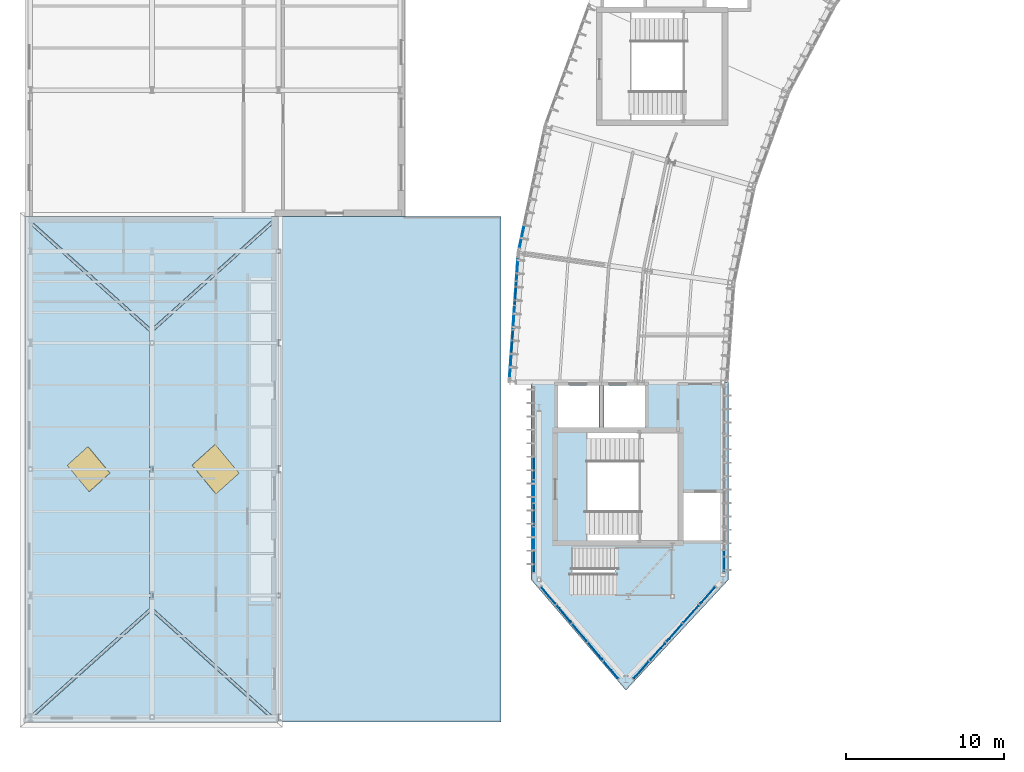
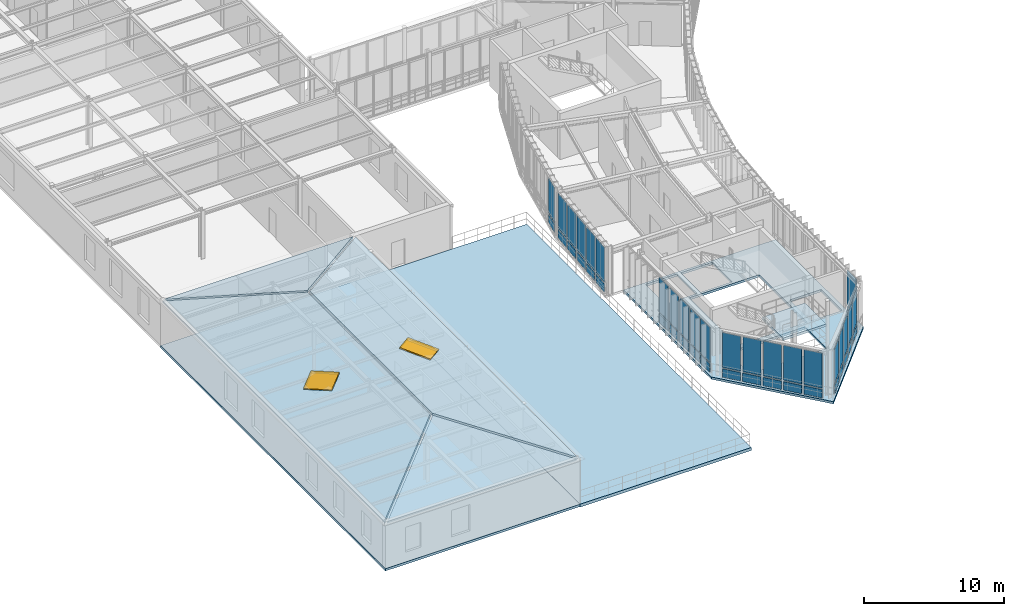
# One storey, part 23 of 52: 44 plates, 8 slabs, 2 windows, 2 openings, 7 elements without a shape of their own.
"""IFC4 building model written with IfcOpenShell, lengths in metres."""

from ifc_helpers import new_model, si_unit, direction, frame, origin, origin_2d, place, context, subcontext, project, spatial, polyline, rectangle, outline, extrude, material, layer, layer_set, type_object, element, fill, aggregate, save


model = new_model("IFC4")

# Units and contexts
model_context = context("Model", 3, precision=1e-05, world=origin(), true_north=direction((0.0, 1.0)))
body_context = subcontext(model_context, "Body", "Model", "MODEL_VIEW")
ifc_project = project(units=[si_unit("LENGTHUNIT", "METRE"), si_unit("AREAUNIT", "SQUARE_METRE"), si_unit("VOLUMEUNIT", "CUBIC_METRE"), si_unit("PLANEANGLEUNIT", "RADIAN"), si_unit("MASSUNIT", "GRAM", prefix="KILO"), si_unit("THERMODYNAMICTEMPERATUREUNIT", "KELVIN"), si_unit("POWERUNIT", "WATT")], contexts=[model_context])

# Site, building, storey
site_placement = place(None, origin())
site = spatial("IfcSite", under=ifc_project, at=site_placement, CompositionType="ELEMENT")
building_placement = place(site_placement, origin())
building = spatial("IfcBuilding", under=site, at=building_placement, Name="Solvatero Civic Police Headquarters", CompositionType="ELEMENT")
storey_placement = place(building_placement, frame((0.0, 0.0, 13.5)))
storey = spatial("IfcBuildingStorey", under=building, at=storey_placement, Name="L03", CompositionType="ELEMENT", Elevation=13.5)

# Curtain wall, plate
ifc_material_1 = material(Name="Anodized Bronze Aluminium", Category="aluminium")
ifc_layer_1 = layer(ifc_material_1, 0.179931640625)
ifc_layer_set_1 = layer_set([ifc_layer_1], Name="Anodized Bronze Aluminium")
curtain_wall_type_1 = type_object("IfcCurtainWallType", Name="CW-ARC-OUT", PredefinedType="USERDEFINED", material=ifc_layer_set_1)
curtain_wall_1_placement = place(storey_placement, origin())
curtain_wall_1 = element("IfcCurtainWall", 1, at=curtain_wall_1_placement, inside=storey, type_object=curtain_wall_type_1, Name="Curtain Wall CW-R2-L03-ARC-OUT-B11", ObjectType="UNITISED", PredefinedType="USERDEFINED")
ifc_material_2 = material(Name="Triple Low-E Laminated Glass", Category="glass")
ifc_layer_2 = layer(ifc_material_2, 0.0380859375)
ifc_layer_set_2 = layer_set([ifc_layer_2], Name="Triple Low-E Laminated Glass")
plate_type_1 = type_object("IfcPlateType", Name="CWP-GLZ-38", PredefinedType="CURTAIN_PANEL", material=ifc_layer_set_2)
plate_1_placement = place(storey_placement, frame((35.906494140625, 35.198486328125, 0.91015625), z_axis=(0.0, 0.0, 1.0), x_axis=(-0.207928762682, -0.978143971841, 0.0)))
plate_1 = element("IfcPlate", 2, at=plate_1_placement, type_object=plate_type_1, Name="CW-R2-L03-ARC-OUT-B11 Vision Glazing 5", PredefinedType="CURTAIN_PANEL", context=body_context, shape_type="SweptSolid", body=[
    extrude(rectangle(XDim=1.360595703125, YDim=0.0380859375, at=origin_2d()), origin(), (0.0, 0.0, 1.0), 3.030029296875),
])

# Curtain wall, plates
curtain_wall_2_placement = place(storey_placement, origin())
curtain_wall_2 = element("IfcCurtainWall", 3, at=curtain_wall_2_placement, inside=storey, type_object=curtain_wall_type_1, Name="Curtain Wall CW-R2-L03-ARC-OUT-B12", ObjectType="UNITISED", PredefinedType="USERDEFINED")
plate_2_placement = place(storey_placement, frame((35.621337890625, 33.170654296875, 0.91015625), z_axis=(0.0, 0.0, 1.0), x_axis=(-0.069739062956, -0.997565267588, 0.0)))
plate_2 = element("IfcPlate", 4, at=plate_2_placement, type_object=plate_type_1, Name="CW-R2-L03-ARC-OUT-B12 Vision Glazing 1", PredefinedType="CURTAIN_PANEL", context=body_context, shape_type="SweptSolid", body=[
    extrude(rectangle(XDim=1.360595703125, YDim=0.0380859375, at=origin_2d()), origin(), (0.0, 0.0, 1.0), 3.030029296875),
])
plate_3_placement = place(storey_placement, frame((35.406494140625, 30.097412109375, 0.91015625), z_axis=(0.0, 0.0, 1.0), x_axis=(-0.069739062956, -0.997565267588, 0.0)))
plate_3 = element("IfcPlate", 5, at=plate_3_placement, type_object=plate_type_1, Name="CW-R2-L03-ARC-OUT-B12 Vision Glazing 3", PredefinedType="CURTAIN_PANEL", context=body_context, shape_type="SweptSolid", body=[
    extrude(rectangle(XDim=1.360595703125, YDim=0.0380859375, at=origin_2d()), origin(), (0.0, 0.0, 1.0), 3.030029296875),
])
plate_4_placement = place(storey_placement, frame((35.19140625, 27.023681640625, 0.91015625), z_axis=(0.0, 0.0, 1.0), x_axis=(-0.069739062956, -0.997565267588, 0.0)))
plate_4 = element("IfcPlate", 6, at=plate_4_placement, type_object=plate_type_1, Name="CW-R2-L03-ARC-OUT-B12 Vision Glazing 5", PredefinedType="CURTAIN_PANEL", context=body_context, shape_type="SweptSolid", body=[
    extrude(rectangle(XDim=1.360595703125, YDim=0.0380859375, at=origin_2d()), origin(), (0.0, 0.0, 1.0), 3.030029296875),
])

ifc_layer_3 = layer(ifc_material_1, 0.179931640625)
ifc_layer_set_3 = layer_set([ifc_layer_3], Name="Anodized Bronze Aluminium")
curtain_wall_type_2 = type_object("IfcCurtainWallType", Name="CW-PROW-GLZ", PredefinedType="USERDEFINED", material=ifc_layer_set_3)
curtain_wall_3_placement = place(storey_placement, origin())
curtain_wall_3 = element("IfcCurtainWall", 7, at=curtain_wall_3_placement, inside=storey, type_object=curtain_wall_type_2, Name="Curtain Wall CW-R2-L03-PROW-W", ObjectType="UNITISED", PredefinedType="USERDEFINED")
plate_5_placement = place(storey_placement, frame((36.679931640625, 19.085693359375, 0.91015625), z_axis=(0.0, 0.0, 1.0), x_axis=(0.0, -1.0, 0.0)))
plate_5 = element("IfcPlate", 8, at=plate_5_placement, type_object=plate_type_1, Name="CW-R2-L03-PROW-W Vision Glazing 5", PredefinedType="CURTAIN_PANEL", context=body_context, shape_type="SweptSolid", body=[
    extrude(rectangle(XDim=1.298828125, YDim=0.0380859375, at=origin_2d()), origin(), (0.0, 0.0, 1.0), 3.030029296875),
])
plate_6_placement = place(storey_placement, frame((36.679931640625, 16.128173828125, 0.91015625), z_axis=(0.0, 0.0, 1.0), x_axis=(0.0, -1.0, 0.0)))
plate_6 = element("IfcPlate", 9, at=plate_6_placement, type_object=plate_type_1, Name="CW-R2-L03-PROW-W Vision Glazing 7", PredefinedType="CURTAIN_PANEL", context=body_context, shape_type="SweptSolid", body=[
    extrude(rectangle(XDim=1.298828125, YDim=0.0380859375, at=origin_2d()), origin(), (0.0, 0.0, 1.0), 3.030029296875),
])

curtain_wall_4_placement = place(storey_placement, origin())
curtain_wall_4 = element("IfcCurtainWall", 10, at=curtain_wall_4_placement, inside=storey, type_object=curtain_wall_type_2, Name="Curtain Wall CW-R2-L03-PROW-SW", ObjectType="UNITISED", PredefinedType="USERDEFINED")
plate_7_placement = place(storey_placement, frame((37.586181640625, 12.51171875, 0.91015625), z_axis=(0.0, 0.0, 1.0), x_axis=(0.643282165541, -0.765629189293, 0.0)))
plate_7 = element("IfcPlate", 11, at=plate_7_placement, type_object=plate_type_1, Name="CW-R2-L03-PROW-SW Vision Glazing 1", PredefinedType="CURTAIN_PANEL", context=body_context, shape_type="SweptSolid", body=[
    extrude(rectangle(XDim=1.3671875, YDim=0.0380859375, at=origin_2d()), origin(), (0.0, 0.0, 1.0), 3.030029296875),
])
plate_8_placement = place(storey_placement, frame((39.576904296875, 10.142578125, 0.91015625), z_axis=(0.0, 0.0, 1.0), x_axis=(0.643282165541, -0.765629189293, 0.0)))
plate_8 = element("IfcPlate", 12, at=plate_8_placement, type_object=plate_type_1, Name="CW-R2-L03-PROW-SW Vision Glazing 3", PredefinedType="CURTAIN_PANEL", context=body_context, shape_type="SweptSolid", body=[
    extrude(rectangle(XDim=1.3671875, YDim=0.0380859375, at=origin_2d()), origin(), (0.0, 0.0, 1.0), 3.030029296875),
])
plate_9_placement = place(storey_placement, frame((41.567626953125, 7.773193359375, 0.91015625), z_axis=(0.0, 0.0, 1.0), x_axis=(0.643282165541, -0.765629189293, 0.0)))
plate_9 = element("IfcPlate", 13, at=plate_9_placement, type_object=plate_type_1, Name="CW-R2-L03-PROW-SW Vision Glazing 5", PredefinedType="CURTAIN_PANEL", context=body_context, shape_type="SweptSolid", body=[
    extrude(rectangle(XDim=1.3671875, YDim=0.0380859375, at=origin_2d()), origin(), (0.0, 0.0, 1.0), 3.030029296875),
])

curtain_wall_5_placement = place(storey_placement, origin())
curtain_wall_5 = element("IfcCurtainWall", 14, at=curtain_wall_5_placement, inside=storey, type_object=curtain_wall_type_2, Name="Curtain Wall CW-R2-L03-PROW-SE", ObjectType="UNITISED", PredefinedType="USERDEFINED")
plate_10_placement = place(storey_placement, frame((44.514892578125, 8.951416015625, 0.91015625), z_axis=(0.0, 0.0, 1.0), x_axis=(0.664669821698, 0.74713722175, 0.0)))
plate_10 = element("IfcPlate", 15, at=plate_10_placement, type_object=plate_type_1, Name="CW-R2-L03-PROW-SE Vision Glazing 2", PredefinedType="CURTAIN_PANEL", context=body_context, shape_type="SweptSolid", body=[
    extrude(rectangle(XDim=1.408447265625, YDim=0.0380859375, at=origin_2d()), origin(), (0.0, 0.0, 1.0), 3.030029296875),
])
plate_11_placement = place(storey_placement, frame((46.62646484375, 11.324951171875, 0.91015625), z_axis=(0.0, 0.0, 1.0), x_axis=(0.664669821698, 0.74713722175, 0.0)))
plate_11 = element("IfcPlate", 16, at=plate_11_placement, type_object=plate_type_1, Name="CW-R2-L03-PROW-SE Vision Glazing 4", PredefinedType="CURTAIN_PANEL", context=body_context, shape_type="SweptSolid", body=[
    extrude(rectangle(XDim=1.408447265625, YDim=0.0380859375, at=origin_2d()), origin(), (0.0, 0.0, 1.0), 3.030029296875),
])

# Plate
ifc_material_3 = material(Name="Acoustic Ballistic Laminated Glass", Category="glass")
ifc_layer_4 = layer(ifc_material_3, 0.0439453125)
ifc_layer_set_4 = layer_set([ifc_layer_4], Name="Acoustic Ballistic Laminated Glass")
plate_type_2 = type_object("IfcPlateType", Name="CWP-GLZ-44", PredefinedType="CURTAIN_PANEL", material=ifc_layer_set_4)
plate_12_placement = place(storey_placement, frame((35.513916015625, 31.634033203125, 0.91015625), z_axis=(0.0, 0.0, 1.0), x_axis=(-0.069739062956, -0.997565267588, 0.0)))
plate_12 = element("IfcPlate", 17, at=plate_12_placement, type_object=plate_type_2, Name="CW-R2-L03-ARC-OUT-B12 Vision Glazing 2", PredefinedType="CURTAIN_PANEL", context=body_context, shape_type="SweptSolid", body=[
    extrude(rectangle(XDim=1.360595703125, YDim=0.0439453125, at=origin_2d()), origin(), (0.0, 0.0, 1.0), 3.030029296875),
])

plate_13_placement = place(storey_placement, frame((35.299072265625, 28.560546875, 0.91015625), z_axis=(0.0, 0.0, 1.0), x_axis=(-0.069739062956, -0.997565267588, 0.0)))
plate_13 = element("IfcPlate", 18, at=plate_13_placement, type_object=plate_type_2, Name="CW-R2-L03-ARC-OUT-B12 Vision Glazing 4", PredefinedType="CURTAIN_PANEL", context=body_context, shape_type="SweptSolid", body=[
    extrude(rectangle(XDim=1.360595703125, YDim=0.0439453125, at=origin_2d()), origin(), (0.0, 0.0, 1.0), 3.030029296875),
])

plate_14_placement = place(storey_placement, frame((36.679931640625, 20.564453125, 0.91015625), z_axis=(0.0, 0.0, 1.0), x_axis=(0.0, -1.0, 0.0)))
plate_14 = element("IfcPlate", 19, at=plate_14_placement, type_object=plate_type_2, Name="CW-R2-L03-PROW-W Vision Glazing 4", PredefinedType="CURTAIN_PANEL", context=body_context, shape_type="SweptSolid", body=[
    extrude(rectangle(XDim=1.298828125, YDim=0.0439453125, at=origin_2d()), origin(), (0.0, 0.0, 1.0), 3.030029296875),
])

plate_15_placement = place(storey_placement, frame((36.679931640625, 17.60693359375, 0.91015625), z_axis=(0.0, 0.0, 1.0), x_axis=(0.0, -1.0, 0.0)))
plate_15 = element("IfcPlate", 20, at=plate_15_placement, type_object=plate_type_2, Name="CW-R2-L03-PROW-W Vision Glazing 6", PredefinedType="CURTAIN_PANEL", context=body_context, shape_type="SweptSolid", body=[
    extrude(rectangle(XDim=1.298828125, YDim=0.0439453125, at=origin_2d()), origin(), (0.0, 0.0, 1.0), 3.030029296875),
])

plate_16_placement = place(storey_placement, frame((36.679931640625, 14.6494140625, 0.91015625), z_axis=(0.0, 0.0, 1.0), x_axis=(0.0, -1.0, 0.0)))
plate_16 = element("IfcPlate", 21, at=plate_16_placement, type_object=plate_type_2, Name="CW-R2-L03-PROW-W Vision Glazing 8", PredefinedType="CURTAIN_PANEL", context=body_context, shape_type="SweptSolid", body=[
    extrude(rectangle(XDim=1.298828125, YDim=0.0439453125, at=origin_2d()), origin(), (0.0, 0.0, 1.0), 3.030029296875),
])

# Curtain wall, plate
curtain_wall_6_placement = place(storey_placement, origin())
curtain_wall_6 = element("IfcCurtainWall", 22, at=curtain_wall_6_placement, inside=storey, type_object=curtain_wall_type_2, Name="Curtain Wall CW-R2-L03-PROW-E", ObjectType="UNITISED", PredefinedType="USERDEFINED")
plate_17_placement = place(storey_placement, frame((48.719970703125, 14.6494140625, 0.91015625), z_axis=(0.0, 0.0, 1.0), x_axis=(0.0, 1.0, 0.0)))
plate_17 = element("IfcPlate", 23, at=plate_17_placement, type_object=plate_type_2, Name="CW-R2-L03-PROW-E Vision Glazing 1", PredefinedType="CURTAIN_PANEL", context=body_context, shape_type="SweptSolid", body=[
    extrude(rectangle(XDim=1.298583984375, YDim=0.0439453125, at=origin_2d()), origin(), (0.0, 0.0, 1.0), 3.030029296875),
])

# Plate
plate_18_placement = place(storey_placement, frame((38.58154296875, 11.3271484375, 0.91015625), z_axis=(0.0, 0.0, 1.0), x_axis=(0.643282165541, -0.765629189293, 0.0)))
plate_18 = element("IfcPlate", 24, at=plate_18_placement, type_object=plate_type_2, Name="CW-R2-L03-PROW-SW Vision Glazing 2", PredefinedType="CURTAIN_PANEL", context=body_context, shape_type="SweptSolid", body=[
    extrude(rectangle(XDim=1.3671875, YDim=0.0439453125, at=origin_2d()), origin(), (0.0, 0.0, 1.0), 3.030029296875),
])

plate_19_placement = place(storey_placement, frame((40.572265625, 8.957763671875, 0.91015625), z_axis=(0.0, 0.0, 1.0), x_axis=(0.643282165541, -0.765629189293, 0.0)))
plate_19 = element("IfcPlate", 25, at=plate_19_placement, type_object=plate_type_2, Name="CW-R2-L03-PROW-SW Vision Glazing 4", PredefinedType="CURTAIN_PANEL", context=body_context, shape_type="SweptSolid", body=[
    extrude(rectangle(XDim=1.3671875, YDim=0.0439453125, at=origin_2d()), origin(), (0.0, 0.0, 1.0), 3.030029296875),
])

plate_20_placement = place(storey_placement, frame((43.458984375, 7.7646484375, 0.91015625), z_axis=(0.0, 0.0, 1.0), x_axis=(0.664669821698, 0.74713722175, 0.0)))
plate_20 = element("IfcPlate", 26, at=plate_20_placement, type_object=plate_type_2, Name="CW-R2-L03-PROW-SE Vision Glazing 1", PredefinedType="CURTAIN_PANEL", context=body_context, shape_type="SweptSolid", body=[
    extrude(rectangle(XDim=1.408447265625, YDim=0.0439453125, at=origin_2d()), origin(), (0.0, 0.0, 1.0), 3.030029296875),
])

plate_21_placement = place(storey_placement, frame((45.570556640625, 10.13818359375, 0.91015625), z_axis=(0.0, 0.0, 1.0), x_axis=(0.664669821698, 0.74713722175, 0.0)))
plate_21 = element("IfcPlate", 27, at=plate_21_placement, type_object=plate_type_2, Name="CW-R2-L03-PROW-SE Vision Glazing 3", PredefinedType="CURTAIN_PANEL", context=body_context, shape_type="SweptSolid", body=[
    extrude(rectangle(XDim=1.408447265625, YDim=0.0439453125, at=origin_2d()), origin(), (0.0, 0.0, 1.0), 3.030029296875),
])

plate_22_placement = place(storey_placement, frame((47.68212890625, 12.51171875, 0.91015625), z_axis=(0.0, 0.0, 1.0), x_axis=(0.664669821698, 0.74713722175, 0.0)))
plate_22 = element("IfcPlate", 28, at=plate_22_placement, type_object=plate_type_2, Name="CW-R2-L03-PROW-SE Vision Glazing 5", PredefinedType="CURTAIN_PANEL", context=body_context, shape_type="SweptSolid", body=[
    extrude(rectangle(XDim=1.408447265625, YDim=0.0439453125, at=origin_2d()), origin(), (0.0, 0.0, 1.0), 3.030029296875),
])

ifc_material_4 = material(Name="Insulated Bronze Aluminium Spandrel", Category="aluminium")
ifc_layer_5 = layer(ifc_material_4, 0.06005859375)
ifc_layer_set_5 = layer_set([ifc_layer_5], Name="Insulated Bronze Aluminium Spandrel")
plate_type_3 = type_object("IfcPlateType", Name="CWP-SPN-60", PredefinedType="CURTAIN_PANEL", material=ifc_layer_set_5)
plate_23_placement = place(storey_placement, frame((35.906494140625, 35.198486328125, 0.06005859375), z_axis=(0.0, 0.0, 1.0), x_axis=(-0.207928762682, -0.978143971841, 0.0)))
plate_23 = element("IfcPlate", 29, at=plate_23_placement, type_object=plate_type_3, Name="CW-R2-L03-ARC-OUT-B11 Spandrel Panel 5", PredefinedType="CURTAIN_PANEL", context=body_context, shape_type="SweptSolid", body=[
    extrude(rectangle(XDim=1.360595703125, YDim=0.06005859375, at=origin_2d()), origin(), (0.0, 0.0, 1.0), 0.72998046875),
])

aggregate(curtain_wall_1, [plate_23, plate_1])

plate_24_placement = place(storey_placement, frame((35.621337890625, 33.170654296875, 0.06005859375), z_axis=(0.0, 0.0, 1.0), x_axis=(-0.069739062956, -0.997565267588, 0.0)))
plate_24 = element("IfcPlate", 30, at=plate_24_placement, type_object=plate_type_3, Name="CW-R2-L03-ARC-OUT-B12 Spandrel Panel 1", PredefinedType="CURTAIN_PANEL", context=body_context, shape_type="SweptSolid", body=[
    extrude(rectangle(XDim=1.360595703125, YDim=0.06005859375, at=origin_2d()), origin(), (0.0, 0.0, 1.0), 0.72998046875),
])

plate_25_placement = place(storey_placement, frame((35.406494140625, 30.097412109375, 0.06005859375), z_axis=(0.0, 0.0, 1.0), x_axis=(-0.069739062956, -0.997565267588, 0.0)))
plate_25 = element("IfcPlate", 31, at=plate_25_placement, type_object=plate_type_3, Name="CW-R2-L03-ARC-OUT-B12 Spandrel Panel 3", PredefinedType="CURTAIN_PANEL", context=body_context, shape_type="SweptSolid", body=[
    extrude(rectangle(XDim=1.360595703125, YDim=0.06005859375, at=origin_2d()), origin(), (0.0, 0.0, 1.0), 0.72998046875),
])

plate_26_placement = place(storey_placement, frame((35.19140625, 27.023681640625, 0.06005859375), z_axis=(0.0, 0.0, 1.0), x_axis=(-0.069739062956, -0.997565267588, 0.0)))
plate_26 = element("IfcPlate", 32, at=plate_26_placement, type_object=plate_type_3, Name="CW-R2-L03-ARC-OUT-B12 Spandrel Panel 5", PredefinedType="CURTAIN_PANEL", context=body_context, shape_type="SweptSolid", body=[
    extrude(rectangle(XDim=1.360595703125, YDim=0.06005859375, at=origin_2d()), origin(), (0.0, 0.0, 1.0), 0.72998046875),
])

plate_27_placement = place(storey_placement, frame((36.679931640625, 19.085693359375, 0.06005859375), z_axis=(0.0, 0.0, 1.0), x_axis=(0.0, -1.0, 0.0)))
plate_27 = element("IfcPlate", 33, at=plate_27_placement, type_object=plate_type_3, Name="CW-R2-L03-PROW-W Spandrel Panel 5", PredefinedType="CURTAIN_PANEL", context=body_context, shape_type="SweptSolid", body=[
    extrude(rectangle(XDim=1.298828125, YDim=0.06005859375, at=origin_2d()), origin(), (0.0, 0.0, 1.0), 0.72998046875),
])

plate_28_placement = place(storey_placement, frame((36.679931640625, 16.128173828125, 0.06005859375), z_axis=(0.0, 0.0, 1.0), x_axis=(0.0, -1.0, 0.0)))
plate_28 = element("IfcPlate", 34, at=plate_28_placement, type_object=plate_type_3, Name="CW-R2-L03-PROW-W Spandrel Panel 7", PredefinedType="CURTAIN_PANEL", context=body_context, shape_type="SweptSolid", body=[
    extrude(rectangle(XDim=1.298828125, YDim=0.06005859375, at=origin_2d()), origin(), (0.0, 0.0, 1.0), 0.72998046875),
])

plate_29_placement = place(storey_placement, frame((37.586181640625, 12.51171875, 0.06005859375), z_axis=(0.0, 0.0, 1.0), x_axis=(0.643282165541, -0.765629189293, 0.0)))
plate_29 = element("IfcPlate", 35, at=plate_29_placement, type_object=plate_type_3, Name="CW-R2-L03-PROW-SW Spandrel Panel 1", PredefinedType="CURTAIN_PANEL", context=body_context, shape_type="SweptSolid", body=[
    extrude(rectangle(XDim=1.3671875, YDim=0.06005859375, at=origin_2d()), origin(), (0.0, 0.0, 1.0), 0.72998046875),
])

plate_30_placement = place(storey_placement, frame((39.576904296875, 10.142578125, 0.06005859375), z_axis=(0.0, 0.0, 1.0), x_axis=(0.643282165541, -0.765629189293, 0.0)))
plate_30 = element("IfcPlate", 36, at=plate_30_placement, type_object=plate_type_3, Name="CW-R2-L03-PROW-SW Spandrel Panel 3", PredefinedType="CURTAIN_PANEL", context=body_context, shape_type="SweptSolid", body=[
    extrude(rectangle(XDim=1.3671875, YDim=0.06005859375, at=origin_2d()), origin(), (0.0, 0.0, 1.0), 0.72998046875),
])

plate_31_placement = place(storey_placement, frame((41.567626953125, 7.773193359375, 0.06005859375), z_axis=(0.0, 0.0, 1.0), x_axis=(0.643282165541, -0.765629189293, 0.0)))
plate_31 = element("IfcPlate", 37, at=plate_31_placement, type_object=plate_type_3, Name="CW-R2-L03-PROW-SW Spandrel Panel 5", PredefinedType="CURTAIN_PANEL", context=body_context, shape_type="SweptSolid", body=[
    extrude(rectangle(XDim=1.3671875, YDim=0.06005859375, at=origin_2d()), origin(), (0.0, 0.0, 1.0), 0.72998046875),
])

plate_32_placement = place(storey_placement, frame((44.514892578125, 8.951416015625, 0.06005859375), z_axis=(0.0, 0.0, 1.0), x_axis=(0.664669821698, 0.74713722175, 0.0)))
plate_32 = element("IfcPlate", 38, at=plate_32_placement, type_object=plate_type_3, Name="CW-R2-L03-PROW-SE Spandrel Panel 2", PredefinedType="CURTAIN_PANEL", context=body_context, shape_type="SweptSolid", body=[
    extrude(rectangle(XDim=1.408447265625, YDim=0.06005859375, at=origin_2d()), origin(), (0.0, 0.0, 1.0), 0.72998046875),
])

plate_33_placement = place(storey_placement, frame((46.62646484375, 11.324951171875, 0.06005859375), z_axis=(0.0, 0.0, 1.0), x_axis=(0.664669821698, 0.74713722175, 0.0)))
plate_33 = element("IfcPlate", 39, at=plate_33_placement, type_object=plate_type_3, Name="CW-R2-L03-PROW-SE Spandrel Panel 4", PredefinedType="CURTAIN_PANEL", context=body_context, shape_type="SweptSolid", body=[
    extrude(rectangle(XDim=1.408447265625, YDim=0.06005859375, at=origin_2d()), origin(), (0.0, 0.0, 1.0), 0.72998046875),
])

ifc_material_5 = material(Name="Limestone Veneer Spandrel Panel", Category="masonry")
ifc_layer_6 = layer(ifc_material_5, 0.074951171875)
ifc_layer_set_6 = layer_set([ifc_layer_6], Name="Limestone Veneer Spandrel Panel")
plate_type_4 = type_object("IfcPlateType", Name="CWP-SPN-75", PredefinedType="CURTAIN_PANEL", material=ifc_layer_set_6)
plate_34_placement = place(storey_placement, frame((35.513916015625, 31.634033203125, 0.06005859375), z_axis=(0.0, 0.0, 1.0), x_axis=(-0.069739062956, -0.997565267588, 0.0)))
plate_34 = element("IfcPlate", 40, at=plate_34_placement, type_object=plate_type_4, Name="CW-R2-L03-ARC-OUT-B12 Spandrel Panel 2", PredefinedType="CURTAIN_PANEL", context=body_context, shape_type="SweptSolid", body=[
    extrude(rectangle(XDim=1.360595703125, YDim=0.074951171875, at=origin_2d()), origin(), (0.0, 0.0, 1.0), 0.72998046875),
])

plate_35_placement = place(storey_placement, frame((35.299072265625, 28.560546875, 0.06005859375), z_axis=(0.0, 0.0, 1.0), x_axis=(-0.069739062956, -0.997565267588, 0.0)))
plate_35 = element("IfcPlate", 41, at=plate_35_placement, type_object=plate_type_4, Name="CW-R2-L03-ARC-OUT-B12 Spandrel Panel 4", PredefinedType="CURTAIN_PANEL", context=body_context, shape_type="SweptSolid", body=[
    extrude(rectangle(XDim=1.360595703125, YDim=0.074951171875, at=origin_2d()), origin(), (0.0, 0.0, 1.0), 0.72998046875),
])

aggregate(curtain_wall_2, [plate_24, plate_2, plate_34, plate_12, plate_25, plate_3, plate_35, plate_13, plate_26, plate_4])

plate_36_placement = place(storey_placement, frame((36.679931640625, 20.564453125, 0.06005859375), z_axis=(0.0, 0.0, 1.0), x_axis=(0.0, -1.0, 0.0)))
plate_36 = element("IfcPlate", 42, at=plate_36_placement, type_object=plate_type_4, Name="CW-R2-L03-PROW-W Spandrel Panel 4", PredefinedType="CURTAIN_PANEL", context=body_context, shape_type="SweptSolid", body=[
    extrude(rectangle(XDim=1.298828125, YDim=0.074951171875, at=origin_2d()), origin(), (0.0, 0.0, 1.0), 0.72998046875),
])

plate_37_placement = place(storey_placement, frame((36.679931640625, 17.60693359375, 0.06005859375), z_axis=(0.0, 0.0, 1.0), x_axis=(0.0, -1.0, 0.0)))
plate_37 = element("IfcPlate", 43, at=plate_37_placement, type_object=plate_type_4, Name="CW-R2-L03-PROW-W Spandrel Panel 6", PredefinedType="CURTAIN_PANEL", context=body_context, shape_type="SweptSolid", body=[
    extrude(rectangle(XDim=1.298828125, YDim=0.074951171875, at=origin_2d()), origin(), (0.0, 0.0, 1.0), 0.72998046875),
])

plate_38_placement = place(storey_placement, frame((36.679931640625, 14.6494140625, 0.06005859375), z_axis=(0.0, 0.0, 1.0), x_axis=(0.0, -1.0, 0.0)))
plate_38 = element("IfcPlate", 44, at=plate_38_placement, type_object=plate_type_4, Name="CW-R2-L03-PROW-W Spandrel Panel 8", PredefinedType="CURTAIN_PANEL", context=body_context, shape_type="SweptSolid", body=[
    extrude(rectangle(XDim=1.298828125, YDim=0.074951171875, at=origin_2d()), origin(), (0.0, 0.0, 1.0), 0.72998046875),
])

aggregate(curtain_wall_3, [plate_36, plate_14, plate_27, plate_5, plate_37, plate_15, plate_28, plate_6, plate_38, plate_16])

plate_39_placement = place(storey_placement, frame((48.719970703125, 14.6494140625, 0.06005859375), z_axis=(0.0, 0.0, 1.0), x_axis=(0.0, 1.0, 0.0)))
plate_39 = element("IfcPlate", 45, at=plate_39_placement, type_object=plate_type_4, Name="CW-R2-L03-PROW-E Spandrel Panel 1", PredefinedType="CURTAIN_PANEL", context=body_context, shape_type="SweptSolid", body=[
    extrude(rectangle(XDim=1.298583984375, YDim=0.074951171875, at=origin_2d()), origin(), (0.0, 0.0, 1.0), 0.72998046875),
])

aggregate(curtain_wall_6, [plate_39, plate_17])

plate_40_placement = place(storey_placement, frame((38.58154296875, 11.3271484375, 0.06005859375), z_axis=(0.0, 0.0, 1.0), x_axis=(0.643282165541, -0.765629189293, 0.0)))
plate_40 = element("IfcPlate", 46, at=plate_40_placement, type_object=plate_type_4, Name="CW-R2-L03-PROW-SW Spandrel Panel 2", PredefinedType="CURTAIN_PANEL", context=body_context, shape_type="SweptSolid", body=[
    extrude(rectangle(XDim=1.3671875, YDim=0.074951171875, at=origin_2d()), origin(), (0.0, 0.0, 1.0), 0.72998046875),
])

plate_41_placement = place(storey_placement, frame((40.572265625, 8.957763671875, 0.06005859375), z_axis=(0.0, 0.0, 1.0), x_axis=(0.643282165541, -0.765629189293, 0.0)))
plate_41 = element("IfcPlate", 47, at=plate_41_placement, type_object=plate_type_4, Name="CW-R2-L03-PROW-SW Spandrel Panel 4", PredefinedType="CURTAIN_PANEL", context=body_context, shape_type="SweptSolid", body=[
    extrude(rectangle(XDim=1.3671875, YDim=0.074951171875, at=origin_2d()), origin(), (0.0, 0.0, 1.0), 0.72998046875),
])

aggregate(curtain_wall_4, [plate_29, plate_7, plate_40, plate_18, plate_30, plate_8, plate_41, plate_19, plate_31, plate_9])

plate_42_placement = place(storey_placement, frame((43.458984375, 7.7646484375, 0.06005859375), z_axis=(0.0, 0.0, 1.0), x_axis=(0.664669821698, 0.74713722175, 0.0)))
plate_42 = element("IfcPlate", 48, at=plate_42_placement, type_object=plate_type_4, Name="CW-R2-L03-PROW-SE Spandrel Panel 1", PredefinedType="CURTAIN_PANEL", context=body_context, shape_type="SweptSolid", body=[
    extrude(rectangle(XDim=1.408447265625, YDim=0.074951171875, at=origin_2d()), origin(), (0.0, 0.0, 1.0), 0.72998046875),
])

plate_43_placement = place(storey_placement, frame((45.570556640625, 10.13818359375, 0.06005859375), z_axis=(0.0, 0.0, 1.0), x_axis=(0.664669821698, 0.74713722175, 0.0)))
plate_43 = element("IfcPlate", 49, at=plate_43_placement, type_object=plate_type_4, Name="CW-R2-L03-PROW-SE Spandrel Panel 3", PredefinedType="CURTAIN_PANEL", context=body_context, shape_type="SweptSolid", body=[
    extrude(rectangle(XDim=1.408447265625, YDim=0.074951171875, at=origin_2d()), origin(), (0.0, 0.0, 1.0), 0.72998046875),
])

plate_44_placement = place(storey_placement, frame((47.68212890625, 12.51171875, 0.06005859375), z_axis=(0.0, 0.0, 1.0), x_axis=(0.664669821698, 0.74713722175, 0.0)))
plate_44 = element("IfcPlate", 50, at=plate_44_placement, type_object=plate_type_4, Name="CW-R2-L03-PROW-SE Spandrel Panel 5", PredefinedType="CURTAIN_PANEL", context=body_context, shape_type="SweptSolid", body=[
    extrude(rectangle(XDim=1.408447265625, YDim=0.074951171875, at=origin_2d()), origin(), (0.0, 0.0, 1.0), 0.72998046875),
])

aggregate(curtain_wall_5, [plate_42, plate_20, plate_32, plate_10, plate_43, plate_21, plate_33, plate_11, plate_44, plate_22])

# Slabs
ifc_material_6 = material(Name="Concrete C35/45", Category="concrete")
ifc_layer_7 = layer(ifc_material_6, 0.199951171875)
ifc_layer_set_7 = layer_set([ifc_layer_7], Name="Concrete C35/45")
slab_type_1 = type_object("IfcSlabType", Name="SLB-COMP-200", PredefinedType="FLOOR", material=ifc_layer_set_7)
slab_1_placement = place(storey_placement, frame((0.0, 0.0, -0.199951171875)))
element("IfcSlab", 51, at=slab_1_placement, inside=storey, type_object=slab_type_1, Name="L03 South-West Prow Floor Slab", PredefinedType="FLOOR", context=body_context, shape_type="SweptSolid", body=[
    extrude(outline(polyline([(49.0, 13.5), (42.5, 6.5), (36.5, 13.5), (36.5, 26.0), (49.0, 26.0), (49.0, 13.5)]), holes=[polyline([(39.10009765625, 12.5), (45.39990234375, 12.5), (45.39990234375, 15.550048828125), (39.10009765625, 15.550048828125), (39.10009765625, 12.5)]), polyline([(46.10009765625, 16.0), (48.699951171875, 16.0), (48.699951171875, 19.0), (46.10009765625, 19.0), (46.10009765625, 16.0)]), polyline([(40.06005859375, 16.0), (45.800048828125, 16.0), (45.800048828125, 22.800048828125), (40.06005859375, 22.800048828125), (40.06005859375, 16.0)]), polyline([(38.199951171875, 25.800048828125), (38.199951171875, 23.0), (40.800048828125, 23.0), (40.800048828125, 25.800048828125), (38.199951171875, 25.800048828125)]), polyline([(41.10009765625, 25.800048828125), (41.10009765625, 23.0), (43.699951171875, 23.0), (43.699951171875, 25.800048828125), (41.10009765625, 25.800048828125)])]), origin(), (0.0, 0.0, 1.0), 0.199951171875),
])
slab_2_placement = place(storey_placement, frame((0.0, 0.0, -0.199951171875)))
element("IfcSlab", 52, at=slab_2_placement, inside=storey, type_object=slab_type_1, Name="L03 Suspended floor slab SLB-L03-V4", PredefinedType="FLOOR", context=body_context, shape_type="SweptSolid", body=[
    extrude(outline(polyline([(4.5, 36.5), (20.5, 36.5), (20.5, 4.5), (4.5, 4.5), (4.5, 36.5)])), origin(), (0.0, 0.0, 1.0), 0.199951171875),
])

# Stair, slab
ifc_material_7 = material(Name="Precast concrete C40/50", Category="concrete")
stair_type = type_object("IfcStairType", Name="STR-PRW-420", PredefinedType="HALF_TURN_STAIR", material=ifc_material_7)
stair_placement = place(storey_placement, origin())
stair = element("IfcStair", 53, at=stair_placement, inside=storey, type_object=stair_type, Name="Glazed Prow Ceremonial Stair (L03 to L04)", PredefinedType="HALF_TURN_STAIR")
ifc_layer_8 = layer(ifc_material_7, 0.215087890625)
ifc_layer_set_8 = layer_set([ifc_layer_8], Name="Precast concrete C40/50")
slab_type_2 = type_object("IfcSlabType", Name="SLB-LND-215", PredefinedType="LANDING", material=ifc_layer_set_8)
slab_3_placement = place(storey_placement, frame((0.0, 0.0, 1.885009765625)))
slab_3 = element("IfcSlab", 54, at=slab_3_placement, type_object=slab_type_2, Name="ST-PRW L03 Glazed Prow Half-Landing", PredefinedType="LANDING", context=body_context, shape_type="SweptSolid", body=[
    extrude(outline(polyline([(41.820068359375, 12.52001953125), (45.3798828125, 12.52001953125), (45.3798828125, 15.530029296875), (41.820068359375, 15.530029296875), (41.820068359375, 12.52001953125)])), origin(), (0.0, 0.0, 1.0), 0.215087890625),
])
aggregate(stair, [slab_3])

# Slab, opening, window
ifc_layer_9 = layer(ifc_material_6, 0.179931640625)
ifc_layer_set_9 = layer_set([ifc_layer_9], Name="Concrete C35/45")
slab_type_3 = type_object("IfcSlabType", Name="SLB-RF-COT-180", PredefinedType="ROOF", material=ifc_layer_set_9)
slab_4_placement = place(storey_placement, frame((12.344482421875, 11.705322265625, 6.319091796875), z_axis=(-0.281250993097, 0.0, 0.959634242241), x_axis=(-0.726259822262, -0.653636100345, -0.212853280204)))
slab_4 = element("IfcSlab", 55, at=slab_4_placement, inside=storey, type_object=slab_type_3, Name="V4W Lombard Hipped Roof Slab W", PredefinedType="ROOF", context=body_context, shape_type="SweptSolid", body=[
    extrude(outline(polyline([(0.0, 0.0), (10.801206650039392, -3.3306690738754696e-16), (-9.859821959296823, -23.922259188772607), (-11.431610274487218, -13.236027552265467), (0.0, 0.0)])), origin(), (0.0, 0.0, -1.0), 0.179931640625),
])
opening_1_placement = place(slab_4_placement, frame((-2.716552734375, -9.2744140625, 0.0)))
opening_1 = element("IfcOpeningElement", 56, at=opening_1_placement, cuts=slab_4, Name="Opening SK-05", PredefinedType="OPENING", context=body_context, shape_type="SweptSolid", body=[
    extrude(rectangle(XDim=1.800048828125, YDim=2.199951171875, at=origin_2d()), frame((0.0, 0.0, -0.300048828125)), (0.0, 0.0, 1.0), 0.5),
])
ifc_material_8 = material(Name="Insulated Aluminium Curb Glass", Category="aluminium")
window_type_1 = type_object("IfcWindowType", Name="SK-RF-180x220", PartitioningType="SINGLE_PANEL", PredefinedType="SKYLIGHT", material=ifc_material_8)
window_1_placement = place(opening_1_placement, frame((0.0, 0.0, 0.02001953125)))
window_1 = element("IfcWindow", 57, at=window_1_placement, inside=storey, type_object=window_type_1, Name="Roof Access Skylight Hatch SKH-05", OverallHeight=2.199951171875, OverallWidth=1.800048828125, PartitioningType="SINGLE_PANEL", PredefinedType="SKYLIGHT", context=body_context, shape_type="SweptSolid", body=[
    extrude(rectangle(XDim=1.800048828125, YDim=2.199951171875, at=origin_2d()), origin(), (0.0, 0.0, 1.0), 0.080078125),
])
fill(opening_1, window_1)

slab_5_placement = place(storey_placement, frame((12.5556640625, 29.194580078125, 6.319091796875), z_axis=(0.281259054176, 0.0, 0.959631879652), x_axis=(0.726249140985, 0.653646830346, -0.212856774375)))
slab_5 = element("IfcSlab", 58, at=slab_5_placement, inside=storey, type_object=slab_type_3, Name="V4W Lombard Hipped Roof Slab E", PredefinedType="ROOF", context=body_context, shape_type="SweptSolid", body=[
    extrude(outline(polyline([(0.0, 0.0), (10.801029341816328, 1.1102230246251565e-16), (-9.860338436144787, -23.921966253518026), (-11.43179793424078, -13.23586547312946), (0.0, 0.0)])), origin(), (0.0, 0.0, -1.0), 0.179931640625),
])
opening_2_placement = place(slab_5_placement, frame((-2.572509765625, -9.2666015625, 0.0)))
opening_2 = element("IfcOpeningElement", 59, at=opening_2_placement, cuts=slab_5, Name="Opening SK-06", PredefinedType="OPENING", context=body_context, shape_type="SweptSolid", body=[
    extrude(rectangle(XDim=2.0, YDim=2.39990234375, at=origin_2d()), frame((0.0, 0.0, -0.300048828125)), (0.0, 0.0, 1.0), 0.5),
])
window_type_2 = type_object("IfcWindowType", Name="SK-RF-200x240", PartitioningType="SINGLE_PANEL", PredefinedType="SKYLIGHT", material=ifc_material_8)
window_2_placement = place(opening_2_placement, frame((0.0, 0.0, 0.02001953125)))
window_2 = element("IfcWindow", 60, at=window_2_placement, inside=storey, type_object=window_type_2, Name="Roof Access Skylight Hatch SKH-06", OverallHeight=2.39990234375, OverallWidth=2.0, PartitioningType="SINGLE_PANEL", PredefinedType="SKYLIGHT", context=body_context, shape_type="SweptSolid", body=[
    extrude(rectangle(XDim=2.0, YDim=2.39990234375, at=origin_2d()), origin(), (0.0, 0.0, 1.0), 0.080078125),
])
fill(opening_2, window_2)

# Slabs
for number, where, z_axis, x_axis, name in (
    (61, (20.239990234375, 4.5, 4.02001953125), (0.0, -0.309624339811, 0.950858963357), (-1.0, 0.0, 0.0), "V4W Lombard Hipped Roof Slab S"),
    (62, (4.659912109375, 36.39990234375, 4.02001953125), (0.0, 0.309624339811, 0.950858963357), (1.0, 0.0, 0.0), "V4W Lombard Hipped Roof Slab N"),
):
    element("IfcSlab", number, at=place(storey_placement, frame(where, z_axis=z_axis, x_axis=x_axis)), inside=storey, type_object=slab_type_3, Name=name, PredefinedType="ROOF", context=body_context, shape_type="SweptSolid", body=[
        extrude(outline(polyline([(0.0, 0.0), (15.580078125, 0.0), (7.7900390625, -7.373318860424673), (0.0, 0.0)])), origin(), (0.0, 0.0, -1.0), 0.179931640625),
    ])
ifc_layer_10 = layer(ifc_material_6, 0.260009765625)
ifc_layer_set_10 = layer_set([ifc_layer_10], Name="Concrete C35/45")
slab_type_4 = type_object("IfcSlabType", Name="SLB-TERR-260", PredefinedType="FLOOR", material=ifc_layer_set_10)
slab_6_placement = place(storey_placement, frame((0.0, 0.0, -0.260009765625)))
element("IfcSlab", 63, at=slab_6_placement, inside=storey, type_object=slab_type_4, Name="L03 Walkable roof terrace slab SLB-L03-TRG4", PredefinedType="FLOOR", context=body_context, shape_type="SweptSolid", body=[
    extrude(outline(polyline([(34.60009765625, 36.5), (34.60009765625, 4.5), (20.501953125, 4.5), (20.501953125, 36.5), (34.60009765625, 36.5)])), origin(), (0.0, 0.0, 1.0), 0.260009765625),
])

save(model, "model.ifc")
